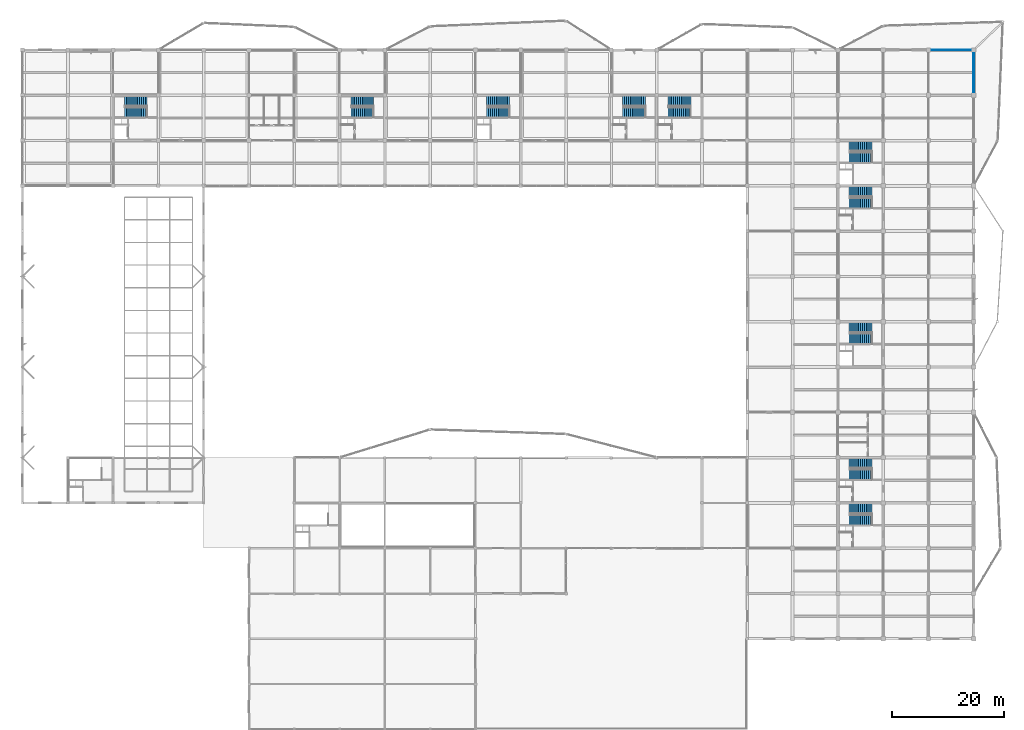
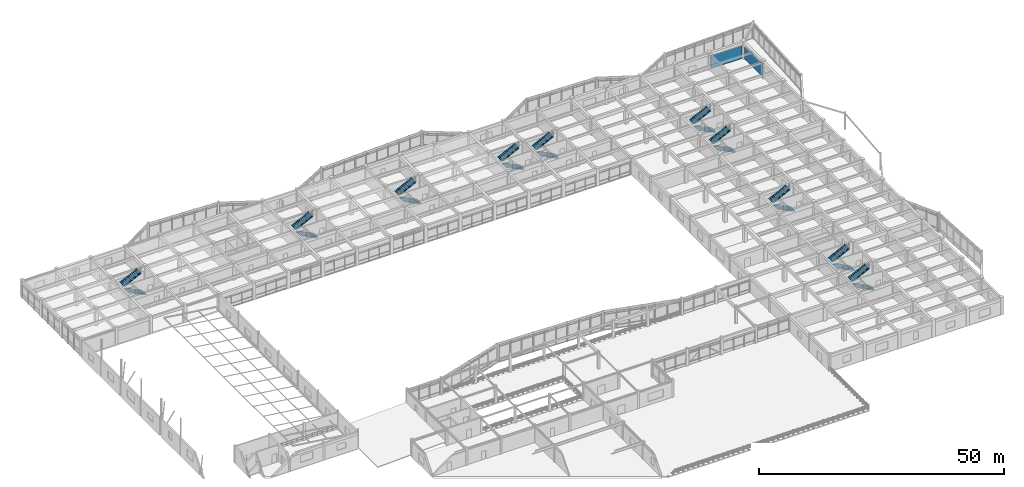
# One storey, part 75 of 89: 20 stair flights, 2 walls, 10 elements without a shape of their own.
"""IFC4 building model written with IfcOpenShell, lengths in metres."""

from ifc_helpers import new_model, si_unit, direction, frame, frame_2d, origin, place, context, subcontext, project, spatial, polyline, rectangle, outline, extrude, material, layer, layer_set, type_object, element, aggregate, save


model = new_model("IFC4")

# Units and contexts
model_context = context("Model", 3, precision=1e-05, world=origin(), true_north=direction((0.0, 1.0)))
body_context = subcontext(model_context, "Body", "Model", "MODEL_VIEW")
ifc_project = project(units=[si_unit("LENGTHUNIT", "METRE"), si_unit("AREAUNIT", "SQUARE_METRE"), si_unit("VOLUMEUNIT", "CUBIC_METRE"), si_unit("PLANEANGLEUNIT", "RADIAN"), si_unit("MASSUNIT", "GRAM", prefix="KILO")], contexts=[model_context])

# Site, building, storey
site_placement = place(None, origin())
site = spatial("IfcSite", under=ifc_project, at=site_placement, CompositionType="ELEMENT")
building_placement = place(site_placement, origin())
building = spatial("IfcBuilding", under=site, at=building_placement, Name="Vaudrelin Polytechnic", CompositionType="ELEMENT")
storey_placement = place(building_placement, frame((0.0, 0.0, 9.68994140625)))
storey = spatial("IfcBuildingStorey", under=building, at=storey_placement, Name="L02", CompositionType="ELEMENT", Elevation=9.68994140625)

# Walls
ifc_material_1 = material(Name="Acoustic steel-stud office & study room partition", Category="steel")
ifc_layer = layer(ifc_material_1, 0.135009765625)
ifc_layer_set = layer_set([ifc_layer], Name="Acoustic steel-stud office & study room partition")
wall_type = type_object("IfcWallType", Name="WAL-PW-OFF135", PredefinedType="PARTITIONING", material=ifc_layer_set)
wall_1_placement = place(storey_placement, frame((162.373046875, 121.5, 0.0), z_axis=(0.0, 0.0, 1.0), x_axis=(1.0, 0.0, 0.0)))
element("IfcWall", 1, at=wall_1_placement, inside=storey, type_object=wall_type, Name="Partition L02-023 N", PredefinedType="PARTITIONING", context=body_context, shape_type="SweptSolid", body=[
    extrude(rectangle(XDim=7.35400390625, YDim=0.135009765625, at=frame_2d((3.677001953125, 0.0))), origin(), (0.0, 0.0, 1.0), 3.2919921875),
])
wall_2_placement = place(storey_placement, frame((170.10009765625, 113.77294921875, 0.0), z_axis=(0.0, 0.0, 1.0), x_axis=(0.0, 1.0, 0.0)))
element("IfcWall", 2, at=wall_2_placement, inside=storey, type_object=wall_type, Name="Partition L02-023 E", PredefinedType="PARTITIONING", context=body_context, shape_type="SweptSolid", body=[
    extrude(rectangle(XDim=7.35400390625, YDim=0.135009765625, at=frame_2d((3.677001953125, 0.0))), origin(), (0.0, 0.0, 1.0), 3.192138671875),
])

# Stair, stair flights
ifc_material_2 = material(Name="Concrete 35 MPa", Category="concrete")
stair_type = type_object("IfcStairType", Name="STR-ST-CORE", PredefinedType="TWO_STRAIGHT_RUN_STAIR", material=ifc_material_2)
stair_1_placement = place(storey_placement, origin())
stair_1 = element("IfcStair", 3, at=stair_1_placement, inside=storey, type_object=stair_type, Name="Exit stair ST-01-L02", PredefinedType="TWO_STRAIGHT_RUN_STAIR")
stair_flight_type = type_object("IfcStairFlightType", Name="STF-STF-CORE", PredefinedType="STRAIGHT", material=ifc_material_2)
stair_flight_1_placement = place(storey_placement, frame((22.340087890625, 110.3701171875, 0.0), z_axis=(0.0, 0.0, 1.0), x_axis=(-1.0, 0.0, 0.0)))
stair_flight_1 = element("IfcStairFlight", 4, at=stair_flight_1_placement, type_object=stair_flight_type, Name="ST-01-L02 flight 1", NumberOfRisers=13, NumberOfTreads=12, PredefinedType="STRAIGHT", RiserHeight=0.17, TreadLength=0.34417, context=body_context, shape_type="SweptSolid", body=[
    extrude(outline(polyline([(0.0, 0.0), (0.0, 0.169921875), (0.34423828125, 0.169921875), (0.34423828125, 0.340087890625), (0.688232421875, 0.340087890625), (0.688232421875, 0.510009765625), (1.032470703125, 0.510009765625), (1.032470703125, 0.679931640625), (1.376708984375, 0.679931640625), (1.376708984375, 0.85009765625), (1.720947265625, 0.85009765625), (1.720947265625, 1.02001953125), (2.06494140625, 1.02001953125), (2.06494140625, 1.18994140625), (2.4091796875, 1.18994140625), (2.4091796875, 1.360107421875), (2.75341796875, 1.360107421875), (2.75341796875, 1.530029296875), (3.097412109375, 1.530029296875), (3.097412109375, 1.699951171875), (3.441650390625, 1.699951171875), (3.441650390625, 1.8701171875), (3.785888671875, 1.8701171875), (3.785888671875, 2.0400390625), (4.130126953125, 2.0400390625), (4.130126953125, 2.2099609375), (4.130126953125, 1.81689453125), (0.451416015625, 0.0), (0.0, 0.0)])), frame((0.0, 0.91015625, 0.0), z_axis=(0.0, -1.0, 0.0), x_axis=(1.0, 0.0, 0.0)), (0.0, 0.0, 1.0), 1.820068359375),
])
stair_flight_2_placement = place(storey_placement, frame((18.2099609375, 112.389892578125, 2.2099609375), z_axis=(0.0, 0.0, 1.0), x_axis=(1.0, 0.0, 0.0)))
stair_flight_2 = element("IfcStairFlight", 5, at=stair_flight_2_placement, type_object=stair_flight_type, Name="ST-01-L02 flight 2", NumberOfRisers=13, NumberOfTreads=12, PredefinedType="STRAIGHT", RiserHeight=0.17, TreadLength=0.34083, context=body_context, shape_type="SweptSolid", body=[
    extrude(outline(polyline([(0.0, 0.0), (0.0, 0.169921875), (0.3408203125, 0.169921875), (0.3408203125, 0.340087890625), (0.681640625, 0.340087890625), (0.681640625, 0.510009765625), (1.0224609375, 0.510009765625), (1.0224609375, 0.679931640625), (1.36328125, 0.679931640625), (1.36328125, 0.85009765625), (1.7041015625, 0.85009765625), (1.7041015625, 1.02001953125), (2.044921875, 1.02001953125), (2.044921875, 1.18994140625), (2.3857421875, 1.18994140625), (2.3857421875, 1.360107421875), (2.7265625, 1.360107421875), (2.7265625, 1.530029296875), (3.0673828125, 1.530029296875), (3.0673828125, 1.699951171875), (3.408203125, 1.699951171875), (3.408203125, 1.8701171875), (3.7490234375, 1.8701171875), (3.7490234375, 2.0400390625), (4.08984375, 2.0400390625), (4.08984375, 2.2099609375), (4.08984375, 1.816650390625), (0.447998046875, 0.0), (0.0, 0.0)])), frame((0.0, 0.91015625, 0.0), z_axis=(0.0, -1.0, 0.0), x_axis=(1.0, 0.0, 0.0)), (0.0, 0.0, 1.0), 1.820068359375),
])
aggregate(stair_1, [stair_flight_1, stair_flight_2])

stair_2_placement = place(storey_placement, origin())
stair_2 = element("IfcStair", 6, at=stair_2_placement, inside=storey, type_object=stair_type, Name="Exit stair ST-02-L02", PredefinedType="TWO_STRAIGHT_RUN_STAIR")
stair_flight_3_placement = place(storey_placement, frame((87.139892578125, 110.3701171875, 0.0), z_axis=(0.0, 0.0, 1.0), x_axis=(-1.0, 0.0, 0.0)))
stair_flight_3 = element("IfcStairFlight", 7, at=stair_flight_3_placement, type_object=stair_flight_type, Name="ST-02-L02 flight 1", NumberOfRisers=13, NumberOfTreads=12, PredefinedType="STRAIGHT", RiserHeight=0.17, TreadLength=0.34417, context=body_context, shape_type="SweptSolid", body=[
    extrude(outline(polyline([(0.0, 0.0), (0.0, 0.169921875), (0.34423828125, 0.169921875), (0.34423828125, 0.340087890625), (0.688232421875, 0.340087890625), (0.688232421875, 0.510009765625), (1.032470703125, 0.510009765625), (1.032470703125, 0.679931640625), (1.376708984375, 0.679931640625), (1.376708984375, 0.85009765625), (1.720947265625, 0.85009765625), (1.720947265625, 1.02001953125), (2.06494140625, 1.02001953125), (2.06494140625, 1.18994140625), (2.4091796875, 1.18994140625), (2.4091796875, 1.360107421875), (2.75341796875, 1.360107421875), (2.75341796875, 1.530029296875), (3.097412109375, 1.530029296875), (3.097412109375, 1.699951171875), (3.441650390625, 1.699951171875), (3.441650390625, 1.8701171875), (3.785888671875, 1.8701171875), (3.785888671875, 2.0400390625), (4.130126953125, 2.0400390625), (4.130126953125, 2.2099609375), (4.130126953125, 1.81689453125), (0.451416015625, 0.0), (0.0, 0.0)])), frame((0.0, 0.91015625, 0.0), z_axis=(0.0, -1.0, 0.0), x_axis=(1.0, 0.0, 0.0)), (0.0, 0.0, 1.0), 1.820068359375),
])
stair_flight_4_placement = place(storey_placement, frame((83.010009765625, 112.389892578125, 2.2099609375), z_axis=(0.0, 0.0, 1.0), x_axis=(1.0, 0.0, 0.0)))
stair_flight_4 = element("IfcStairFlight", 8, at=stair_flight_4_placement, type_object=stair_flight_type, Name="ST-02-L02 flight 2", NumberOfRisers=13, NumberOfTreads=12, PredefinedType="STRAIGHT", RiserHeight=0.17, TreadLength=0.34083, context=body_context, shape_type="SweptSolid", body=[
    extrude(outline(polyline([(0.0, 0.0), (0.0, 0.169921875), (0.3408203125, 0.169921875), (0.3408203125, 0.340087890625), (0.681640625, 0.340087890625), (0.681640625, 0.510009765625), (1.0224609375, 0.510009765625), (1.0224609375, 0.679931640625), (1.36328125, 0.679931640625), (1.36328125, 0.85009765625), (1.7041015625, 0.85009765625), (1.7041015625, 1.02001953125), (2.044921875, 1.02001953125), (2.044921875, 1.18994140625), (2.3857421875, 1.18994140625), (2.3857421875, 1.360107421875), (2.7265625, 1.360107421875), (2.7265625, 1.530029296875), (3.0673828125, 1.530029296875), (3.0673828125, 1.699951171875), (3.408203125, 1.699951171875), (3.408203125, 1.8701171875), (3.7490234375, 1.8701171875), (3.7490234375, 2.0400390625), (4.08984375, 2.0400390625), (4.08984375, 2.2099609375), (4.08984375, 1.816650390625), (0.447998046875, 0.0), (0.0, 0.0)])), frame((0.0, 0.91015625, 0.0), z_axis=(0.0, -1.0, 0.0), x_axis=(1.0, 0.0, 0.0)), (0.0, 0.0, 1.0), 1.820068359375),
])
aggregate(stair_2, [stair_flight_3, stair_flight_4])

stair_3_placement = place(storey_placement, origin())
stair_3 = element("IfcStair", 9, at=stair_3_placement, inside=storey, type_object=stair_type, Name="Exit stair ST-06-L02", PredefinedType="TWO_STRAIGHT_RUN_STAIR")
stair_flight_5_placement = place(storey_placement, frame((151.93994140625, 102.27001953125, 0.0), z_axis=(0.0, 0.0, 1.0), x_axis=(-1.0, 0.0, 0.0)))
stair_flight_5 = element("IfcStairFlight", 10, at=stair_flight_5_placement, type_object=stair_flight_type, Name="ST-06-L02 flight 1", NumberOfRisers=13, NumberOfTreads=12, PredefinedType="STRAIGHT", RiserHeight=0.17, TreadLength=0.34417, context=body_context, shape_type="SweptSolid", body=[
    extrude(outline(polyline([(0.0, 0.0), (0.0, 0.169921875), (0.34423828125, 0.169921875), (0.34423828125, 0.340087890625), (0.688232421875, 0.340087890625), (0.688232421875, 0.510009765625), (1.032470703125, 0.510009765625), (1.032470703125, 0.679931640625), (1.376708984375, 0.679931640625), (1.376708984375, 0.85009765625), (1.720947265625, 0.85009765625), (1.720947265625, 1.02001953125), (2.06494140625, 1.02001953125), (2.06494140625, 1.18994140625), (2.4091796875, 1.18994140625), (2.4091796875, 1.360107421875), (2.75341796875, 1.360107421875), (2.75341796875, 1.530029296875), (3.097412109375, 1.530029296875), (3.097412109375, 1.699951171875), (3.441650390625, 1.699951171875), (3.441650390625, 1.8701171875), (3.785888671875, 1.8701171875), (3.785888671875, 2.0400390625), (4.130126953125, 2.0400390625), (4.130126953125, 2.2099609375), (4.130126953125, 1.81689453125), (0.451416015625, 0.0), (0.0, 0.0)])), frame((0.0, 0.91015625, 0.0), z_axis=(0.0, -1.0, 0.0), x_axis=(1.0, 0.0, 0.0)), (0.0, 0.0, 1.0), 1.820068359375),
])
stair_flight_6_placement = place(storey_placement, frame((147.81005859375, 104.2900390625, 2.2099609375), z_axis=(0.0, 0.0, 1.0), x_axis=(1.0, 0.0, 0.0)))
stair_flight_6 = element("IfcStairFlight", 11, at=stair_flight_6_placement, type_object=stair_flight_type, Name="ST-06-L02 flight 2", NumberOfRisers=13, NumberOfTreads=12, PredefinedType="STRAIGHT", RiserHeight=0.17, TreadLength=0.34083, context=body_context, shape_type="SweptSolid", body=[
    extrude(outline(polyline([(0.0, 0.0), (0.0, 0.169921875), (0.3408203125, 0.169921875), (0.3408203125, 0.340087890625), (0.681640625, 0.340087890625), (0.681640625, 0.510009765625), (1.0224609375, 0.510009765625), (1.0224609375, 0.679931640625), (1.36328125, 0.679931640625), (1.36328125, 0.85009765625), (1.7041015625, 0.85009765625), (1.7041015625, 1.02001953125), (2.044921875, 1.02001953125), (2.044921875, 1.18994140625), (2.3857421875, 1.18994140625), (2.3857421875, 1.360107421875), (2.7265625, 1.360107421875), (2.7265625, 1.530029296875), (3.0673828125, 1.530029296875), (3.0673828125, 1.699951171875), (3.408203125, 1.699951171875), (3.408203125, 1.8701171875), (3.7490234375, 1.8701171875), (3.7490234375, 2.0400390625), (4.08984375, 2.0400390625), (4.08984375, 2.2099609375), (4.08984375, 1.816650390625), (0.447998046875, 0.0), (0.0, 0.0)])), frame((0.0, 0.91015625, 0.0), z_axis=(0.0, -1.0, 0.0), x_axis=(1.0, 0.0, 0.0)), (0.0, 0.0, 1.0), 1.820068359375),
])
aggregate(stair_3, [stair_flight_5, stair_flight_6])

stair_4_placement = place(storey_placement, origin())
stair_4 = element("IfcStair", 12, at=stair_4_placement, inside=storey, type_object=stair_type, Name="Exit stair ST-07-L02", PredefinedType="TWO_STRAIGHT_RUN_STAIR")
stair_flight_7_placement = place(storey_placement, frame((151.93994140625, 69.8701171875, 0.0), z_axis=(0.0, 0.0, 1.0), x_axis=(-1.0, 0.0, 0.0)))
stair_flight_7 = element("IfcStairFlight", 13, at=stair_flight_7_placement, type_object=stair_flight_type, Name="ST-07-L02 flight 1", NumberOfRisers=13, NumberOfTreads=12, PredefinedType="STRAIGHT", RiserHeight=0.17, TreadLength=0.34417, context=body_context, shape_type="SweptSolid", body=[
    extrude(outline(polyline([(0.0, 0.0), (0.0, 0.169921875), (0.34423828125, 0.169921875), (0.34423828125, 0.340087890625), (0.688232421875, 0.340087890625), (0.688232421875, 0.510009765625), (1.032470703125, 0.510009765625), (1.032470703125, 0.679931640625), (1.376708984375, 0.679931640625), (1.376708984375, 0.85009765625), (1.720947265625, 0.85009765625), (1.720947265625, 1.02001953125), (2.06494140625, 1.02001953125), (2.06494140625, 1.18994140625), (2.4091796875, 1.18994140625), (2.4091796875, 1.360107421875), (2.75341796875, 1.360107421875), (2.75341796875, 1.530029296875), (3.097412109375, 1.530029296875), (3.097412109375, 1.699951171875), (3.441650390625, 1.699951171875), (3.441650390625, 1.8701171875), (3.785888671875, 1.8701171875), (3.785888671875, 2.0400390625), (4.130126953125, 2.0400390625), (4.130126953125, 2.2099609375), (4.130126953125, 1.81689453125), (0.451416015625, 0.0), (0.0, 0.0)])), frame((0.0, 0.91015625, 0.0), z_axis=(0.0, -1.0, 0.0), x_axis=(1.0, 0.0, 0.0)), (0.0, 0.0, 1.0), 1.820068359375),
])
stair_flight_8_placement = place(storey_placement, frame((147.81005859375, 71.889892578125, 2.2099609375), z_axis=(0.0, 0.0, 1.0), x_axis=(1.0, 0.0, 0.0)))
stair_flight_8 = element("IfcStairFlight", 14, at=stair_flight_8_placement, type_object=stair_flight_type, Name="ST-07-L02 flight 2", NumberOfRisers=13, NumberOfTreads=12, PredefinedType="STRAIGHT", RiserHeight=0.17, TreadLength=0.34083, context=body_context, shape_type="SweptSolid", body=[
    extrude(outline(polyline([(0.0, 0.0), (0.0, 0.169921875), (0.3408203125, 0.169921875), (0.3408203125, 0.340087890625), (0.681640625, 0.340087890625), (0.681640625, 0.510009765625), (1.0224609375, 0.510009765625), (1.0224609375, 0.679931640625), (1.36328125, 0.679931640625), (1.36328125, 0.85009765625), (1.7041015625, 0.85009765625), (1.7041015625, 1.02001953125), (2.044921875, 1.02001953125), (2.044921875, 1.18994140625), (2.3857421875, 1.18994140625), (2.3857421875, 1.360107421875), (2.7265625, 1.360107421875), (2.7265625, 1.530029296875), (3.0673828125, 1.530029296875), (3.0673828125, 1.699951171875), (3.408203125, 1.699951171875), (3.408203125, 1.8701171875), (3.7490234375, 1.8701171875), (3.7490234375, 2.0400390625), (4.08984375, 2.0400390625), (4.08984375, 2.2099609375), (4.08984375, 1.816650390625), (0.447998046875, 0.0), (0.0, 0.0)])), frame((0.0, 0.91015625, 0.0), z_axis=(0.0, -1.0, 0.0), x_axis=(1.0, 0.0, 0.0)), (0.0, 0.0, 1.0), 1.820068359375),
])
aggregate(stair_4, [stair_flight_7, stair_flight_8])

stair_5_placement = place(storey_placement, origin())
stair_5 = element("IfcStair", 15, at=stair_5_placement, inside=storey, type_object=stair_type, Name="Exit stair ST-08-L02", PredefinedType="TWO_STRAIGHT_RUN_STAIR")
stair_flight_9_placement = place(storey_placement, frame((151.93994140625, 37.469970703125, 0.0), z_axis=(0.0, 0.0, 1.0), x_axis=(-1.0, 0.0, 0.0)))
stair_flight_9 = element("IfcStairFlight", 16, at=stair_flight_9_placement, type_object=stair_flight_type, Name="ST-08-L02 flight 1", NumberOfRisers=13, NumberOfTreads=12, PredefinedType="STRAIGHT", RiserHeight=0.17, TreadLength=0.34417, context=body_context, shape_type="SweptSolid", body=[
    extrude(outline(polyline([(0.0, 0.0), (0.0, 0.169921875), (0.34423828125, 0.169921875), (0.34423828125, 0.340087890625), (0.688232421875, 0.340087890625), (0.688232421875, 0.510009765625), (1.032470703125, 0.510009765625), (1.032470703125, 0.679931640625), (1.376708984375, 0.679931640625), (1.376708984375, 0.85009765625), (1.720947265625, 0.85009765625), (1.720947265625, 1.02001953125), (2.06494140625, 1.02001953125), (2.06494140625, 1.18994140625), (2.4091796875, 1.18994140625), (2.4091796875, 1.360107421875), (2.75341796875, 1.360107421875), (2.75341796875, 1.530029296875), (3.097412109375, 1.530029296875), (3.097412109375, 1.699951171875), (3.441650390625, 1.699951171875), (3.441650390625, 1.8701171875), (3.785888671875, 1.8701171875), (3.785888671875, 2.0400390625), (4.130126953125, 2.0400390625), (4.130126953125, 2.2099609375), (4.130126953125, 1.81689453125), (0.451416015625, 0.0), (0.0, 0.0)])), frame((0.0, 0.91015625, 0.0), z_axis=(0.0, -1.0, 0.0), x_axis=(1.0, 0.0, 0.0)), (0.0, 0.0, 1.0), 1.820068359375),
])
stair_flight_10_placement = place(storey_placement, frame((147.81005859375, 39.489990234375, 2.2099609375), z_axis=(0.0, 0.0, 1.0), x_axis=(1.0, 0.0, 0.0)))
stair_flight_10 = element("IfcStairFlight", 17, at=stair_flight_10_placement, type_object=stair_flight_type, Name="ST-08-L02 flight 2", NumberOfRisers=13, NumberOfTreads=12, PredefinedType="STRAIGHT", RiserHeight=0.17, TreadLength=0.34083, context=body_context, shape_type="SweptSolid", body=[
    extrude(outline(polyline([(0.0, 0.0), (0.0, 0.169921875), (0.3408203125, 0.169921875), (0.3408203125, 0.340087890625), (0.681640625, 0.340087890625), (0.681640625, 0.510009765625), (1.0224609375, 0.510009765625), (1.0224609375, 0.679931640625), (1.36328125, 0.679931640625), (1.36328125, 0.85009765625), (1.7041015625, 0.85009765625), (1.7041015625, 1.02001953125), (2.044921875, 1.02001953125), (2.044921875, 1.18994140625), (2.3857421875, 1.18994140625), (2.3857421875, 1.360107421875), (2.7265625, 1.360107421875), (2.7265625, 1.530029296875), (3.0673828125, 1.530029296875), (3.0673828125, 1.699951171875), (3.408203125, 1.699951171875), (3.408203125, 1.8701171875), (3.7490234375, 1.8701171875), (3.7490234375, 2.0400390625), (4.08984375, 2.0400390625), (4.08984375, 2.2099609375), (4.08984375, 1.816650390625), (0.447998046875, 0.0), (0.0, 0.0)])), frame((0.0, 0.91015625, 0.0), z_axis=(0.0, -1.0, 0.0), x_axis=(1.0, 0.0, 0.0)), (0.0, 0.0, 1.0), 1.820068359375),
])
aggregate(stair_5, [stair_flight_9, stair_flight_10])

stair_6_placement = place(storey_placement, origin())
stair_6 = element("IfcStair", 18, at=stair_6_placement, inside=storey, type_object=stair_type, Name="Exit stair ST-09-L02", PredefinedType="TWO_STRAIGHT_RUN_STAIR")
stair_flight_11_placement = place(storey_placement, frame((62.840087890625, 110.3701171875, 0.0), z_axis=(0.0, 0.0, 1.0), x_axis=(-1.0, 0.0, 0.0)))
stair_flight_11 = element("IfcStairFlight", 19, at=stair_flight_11_placement, type_object=stair_flight_type, Name="ST-09-L02 flight 1", NumberOfRisers=13, NumberOfTreads=12, PredefinedType="STRAIGHT", RiserHeight=0.17, TreadLength=0.34417, context=body_context, shape_type="SweptSolid", body=[
    extrude(outline(polyline([(0.0, 0.0), (0.0, 0.169921875), (0.34423828125, 0.169921875), (0.34423828125, 0.340087890625), (0.688232421875, 0.340087890625), (0.688232421875, 0.510009765625), (1.032470703125, 0.510009765625), (1.032470703125, 0.679931640625), (1.376708984375, 0.679931640625), (1.376708984375, 0.85009765625), (1.720947265625, 0.85009765625), (1.720947265625, 1.02001953125), (2.06494140625, 1.02001953125), (2.06494140625, 1.18994140625), (2.4091796875, 1.18994140625), (2.4091796875, 1.360107421875), (2.75341796875, 1.360107421875), (2.75341796875, 1.530029296875), (3.097412109375, 1.530029296875), (3.097412109375, 1.699951171875), (3.441650390625, 1.699951171875), (3.441650390625, 1.8701171875), (3.785888671875, 1.8701171875), (3.785888671875, 2.0400390625), (4.130126953125, 2.0400390625), (4.130126953125, 2.2099609375), (4.130126953125, 1.81689453125), (0.451416015625, 0.0), (0.0, 0.0)])), frame((0.0, 0.91015625, 0.0), z_axis=(0.0, -1.0, 0.0), x_axis=(1.0, 0.0, 0.0)), (0.0, 0.0, 1.0), 1.820068359375),
])
stair_flight_12_placement = place(storey_placement, frame((58.7099609375, 112.389892578125, 2.2099609375), z_axis=(0.0, 0.0, 1.0), x_axis=(1.0, 0.0, 0.0)))
stair_flight_12 = element("IfcStairFlight", 20, at=stair_flight_12_placement, type_object=stair_flight_type, Name="ST-09-L02 flight 2", NumberOfRisers=13, NumberOfTreads=12, PredefinedType="STRAIGHT", RiserHeight=0.17, TreadLength=0.34083, context=body_context, shape_type="SweptSolid", body=[
    extrude(outline(polyline([(0.0, 0.0), (0.0, 0.169921875), (0.3408203125, 0.169921875), (0.3408203125, 0.340087890625), (0.681640625, 0.340087890625), (0.681640625, 0.510009765625), (1.0224609375, 0.510009765625), (1.0224609375, 0.679931640625), (1.36328125, 0.679931640625), (1.36328125, 0.85009765625), (1.7041015625, 0.85009765625), (1.7041015625, 1.02001953125), (2.044921875, 1.02001953125), (2.044921875, 1.18994140625), (2.3857421875, 1.18994140625), (2.3857421875, 1.360107421875), (2.7265625, 1.360107421875), (2.7265625, 1.530029296875), (3.0673828125, 1.530029296875), (3.0673828125, 1.699951171875), (3.408203125, 1.699951171875), (3.408203125, 1.8701171875), (3.7490234375, 1.8701171875), (3.7490234375, 2.0400390625), (4.08984375, 2.0400390625), (4.08984375, 2.2099609375), (4.08984375, 1.816650390625), (0.447998046875, 0.0), (0.0, 0.0)])), frame((0.0, 0.91015625, 0.0), z_axis=(0.0, -1.0, 0.0), x_axis=(1.0, 0.0, 0.0)), (0.0, 0.0, 1.0), 1.820068359375),
])
aggregate(stair_6, [stair_flight_11, stair_flight_12])

stair_7_placement = place(storey_placement, origin())
stair_7 = element("IfcStair", 21, at=stair_7_placement, inside=storey, type_object=stair_type, Name="Exit stair ST-10-L02", PredefinedType="TWO_STRAIGHT_RUN_STAIR")
stair_flight_13_placement = place(storey_placement, frame((119.5400390625, 110.3701171875, 0.0), z_axis=(0.0, 0.0, 1.0), x_axis=(-1.0, 0.0, 0.0)))
stair_flight_13 = element("IfcStairFlight", 22, at=stair_flight_13_placement, type_object=stair_flight_type, Name="ST-10-L02 flight 1", NumberOfRisers=13, NumberOfTreads=12, PredefinedType="STRAIGHT", RiserHeight=0.17, TreadLength=0.34417, context=body_context, shape_type="SweptSolid", body=[
    extrude(outline(polyline([(0.0, 0.0), (0.0, 0.169921875), (0.34423828125, 0.169921875), (0.34423828125, 0.340087890625), (0.688232421875, 0.340087890625), (0.688232421875, 0.510009765625), (1.032470703125, 0.510009765625), (1.032470703125, 0.679931640625), (1.376708984375, 0.679931640625), (1.376708984375, 0.85009765625), (1.720947265625, 0.85009765625), (1.720947265625, 1.02001953125), (2.06494140625, 1.02001953125), (2.06494140625, 1.18994140625), (2.4091796875, 1.18994140625), (2.4091796875, 1.360107421875), (2.75341796875, 1.360107421875), (2.75341796875, 1.530029296875), (3.097412109375, 1.530029296875), (3.097412109375, 1.699951171875), (3.441650390625, 1.699951171875), (3.441650390625, 1.8701171875), (3.785888671875, 1.8701171875), (3.785888671875, 2.0400390625), (4.130126953125, 2.0400390625), (4.130126953125, 2.2099609375), (4.130126953125, 1.81689453125), (0.451416015625, 0.0), (0.0, 0.0)])), frame((0.0, 0.91015625, 0.0), z_axis=(0.0, -1.0, 0.0), x_axis=(1.0, 0.0, 0.0)), (0.0, 0.0, 1.0), 1.820068359375),
])
stair_flight_14_placement = place(storey_placement, frame((115.409912109375, 112.389892578125, 2.2099609375), z_axis=(0.0, 0.0, 1.0), x_axis=(1.0, 0.0, 0.0)))
stair_flight_14 = element("IfcStairFlight", 23, at=stair_flight_14_placement, type_object=stair_flight_type, Name="ST-10-L02 flight 2", NumberOfRisers=13, NumberOfTreads=12, PredefinedType="STRAIGHT", RiserHeight=0.17, TreadLength=0.34083, context=body_context, shape_type="SweptSolid", body=[
    extrude(outline(polyline([(0.0, 0.0), (0.0, 0.169921875), (0.3408203125, 0.169921875), (0.3408203125, 0.340087890625), (0.681640625, 0.340087890625), (0.681640625, 0.510009765625), (1.0224609375, 0.510009765625), (1.0224609375, 0.679931640625), (1.36328125, 0.679931640625), (1.36328125, 0.85009765625), (1.7041015625, 0.85009765625), (1.7041015625, 1.02001953125), (2.044921875, 1.02001953125), (2.044921875, 1.18994140625), (2.3857421875, 1.18994140625), (2.3857421875, 1.360107421875), (2.7265625, 1.360107421875), (2.7265625, 1.530029296875), (3.0673828125, 1.530029296875), (3.0673828125, 1.699951171875), (3.408203125, 1.699951171875), (3.408203125, 1.8701171875), (3.7490234375, 1.8701171875), (3.7490234375, 2.0400390625), (4.08984375, 2.0400390625), (4.08984375, 2.2099609375), (4.08984375, 1.816650390625), (0.447998046875, 0.0), (0.0, 0.0)])), frame((0.0, 0.91015625, 0.0), z_axis=(0.0, -1.0, 0.0), x_axis=(1.0, 0.0, 0.0)), (0.0, 0.0, 1.0), 1.820068359375),
])
aggregate(stair_7, [stair_flight_13, stair_flight_14])

stair_8_placement = place(storey_placement, origin())
stair_8 = element("IfcStair", 24, at=stair_8_placement, inside=storey, type_object=stair_type, Name="Exit stair ST-11-L02", PredefinedType="TWO_STRAIGHT_RUN_STAIR")
stair_flight_15_placement = place(storey_placement, frame((111.43994140625, 110.3701171875, 0.0), z_axis=(0.0, 0.0, 1.0), x_axis=(-1.0, 0.0, 0.0)))
stair_flight_15 = element("IfcStairFlight", 25, at=stair_flight_15_placement, type_object=stair_flight_type, Name="ST-11-L02 flight 1", NumberOfRisers=13, NumberOfTreads=12, PredefinedType="STRAIGHT", RiserHeight=0.17, TreadLength=0.34417, context=body_context, shape_type="SweptSolid", body=[
    extrude(outline(polyline([(0.0, 0.0), (0.0, 0.169921875), (0.34423828125, 0.169921875), (0.34423828125, 0.340087890625), (0.688232421875, 0.340087890625), (0.688232421875, 0.510009765625), (1.032470703125, 0.510009765625), (1.032470703125, 0.679931640625), (1.376708984375, 0.679931640625), (1.376708984375, 0.85009765625), (1.720947265625, 0.85009765625), (1.720947265625, 1.02001953125), (2.06494140625, 1.02001953125), (2.06494140625, 1.18994140625), (2.4091796875, 1.18994140625), (2.4091796875, 1.360107421875), (2.75341796875, 1.360107421875), (2.75341796875, 1.530029296875), (3.097412109375, 1.530029296875), (3.097412109375, 1.699951171875), (3.441650390625, 1.699951171875), (3.441650390625, 1.8701171875), (3.785888671875, 1.8701171875), (3.785888671875, 2.0400390625), (4.130126953125, 2.0400390625), (4.130126953125, 2.2099609375), (4.130126953125, 1.81689453125), (0.451416015625, 0.0), (0.0, 0.0)])), frame((0.0, 0.91015625, 0.0), z_axis=(0.0, -1.0, 0.0), x_axis=(1.0, 0.0, 0.0)), (0.0, 0.0, 1.0), 1.820068359375),
])
stair_flight_16_placement = place(storey_placement, frame((107.31005859375, 112.389892578125, 2.2099609375), z_axis=(0.0, 0.0, 1.0), x_axis=(1.0, 0.0, 0.0)))
stair_flight_16 = element("IfcStairFlight", 26, at=stair_flight_16_placement, type_object=stair_flight_type, Name="ST-11-L02 flight 2", NumberOfRisers=13, NumberOfTreads=12, PredefinedType="STRAIGHT", RiserHeight=0.17, TreadLength=0.34083, context=body_context, shape_type="SweptSolid", body=[
    extrude(outline(polyline([(0.0, 0.0), (0.0, 0.169921875), (0.3408203125, 0.169921875), (0.3408203125, 0.340087890625), (0.681640625, 0.340087890625), (0.681640625, 0.510009765625), (1.0224609375, 0.510009765625), (1.0224609375, 0.679931640625), (1.36328125, 0.679931640625), (1.36328125, 0.85009765625), (1.7041015625, 0.85009765625), (1.7041015625, 1.02001953125), (2.044921875, 1.02001953125), (2.044921875, 1.18994140625), (2.3857421875, 1.18994140625), (2.3857421875, 1.360107421875), (2.7265625, 1.360107421875), (2.7265625, 1.530029296875), (3.0673828125, 1.530029296875), (3.0673828125, 1.699951171875), (3.408203125, 1.699951171875), (3.408203125, 1.8701171875), (3.7490234375, 1.8701171875), (3.7490234375, 2.0400390625), (4.08984375, 2.0400390625), (4.08984375, 2.2099609375), (4.08984375, 1.816650390625), (0.447998046875, 0.0), (0.0, 0.0)])), frame((0.0, 0.91015625, 0.0), z_axis=(0.0, -1.0, 0.0), x_axis=(1.0, 0.0, 0.0)), (0.0, 0.0, 1.0), 1.820068359375),
])
aggregate(stair_8, [stair_flight_15, stair_flight_16])

stair_9_placement = place(storey_placement, origin())
stair_9 = element("IfcStair", 27, at=stair_9_placement, inside=storey, type_object=stair_type, Name="Exit stair ST-12-L02", PredefinedType="TWO_STRAIGHT_RUN_STAIR")
stair_flight_17_placement = place(storey_placement, frame((151.93994140625, 45.570068359375, 0.0), z_axis=(0.0, 0.0, 1.0), x_axis=(-1.0, 0.0, 0.0)))
stair_flight_17 = element("IfcStairFlight", 28, at=stair_flight_17_placement, type_object=stair_flight_type, Name="ST-12-L02 flight 1", NumberOfRisers=13, NumberOfTreads=12, PredefinedType="STRAIGHT", RiserHeight=0.17, TreadLength=0.34417, context=body_context, shape_type="SweptSolid", body=[
    extrude(outline(polyline([(0.0, 0.0), (0.0, 0.169921875), (0.34423828125, 0.169921875), (0.34423828125, 0.340087890625), (0.688232421875, 0.340087890625), (0.688232421875, 0.510009765625), (1.032470703125, 0.510009765625), (1.032470703125, 0.679931640625), (1.376708984375, 0.679931640625), (1.376708984375, 0.85009765625), (1.720947265625, 0.85009765625), (1.720947265625, 1.02001953125), (2.06494140625, 1.02001953125), (2.06494140625, 1.18994140625), (2.4091796875, 1.18994140625), (2.4091796875, 1.360107421875), (2.75341796875, 1.360107421875), (2.75341796875, 1.530029296875), (3.097412109375, 1.530029296875), (3.097412109375, 1.699951171875), (3.441650390625, 1.699951171875), (3.441650390625, 1.8701171875), (3.785888671875, 1.8701171875), (3.785888671875, 2.0400390625), (4.130126953125, 2.0400390625), (4.130126953125, 2.2099609375), (4.130126953125, 1.81689453125), (0.451416015625, 0.0), (0.0, 0.0)])), frame((0.0, 0.91015625, 0.0), z_axis=(0.0, -1.0, 0.0), x_axis=(1.0, 0.0, 0.0)), (0.0, 0.0, 1.0), 1.820068359375),
])
stair_flight_18_placement = place(storey_placement, frame((147.81005859375, 47.590087890625, 2.2099609375), z_axis=(0.0, 0.0, 1.0), x_axis=(1.0, 0.0, 0.0)))
stair_flight_18 = element("IfcStairFlight", 29, at=stair_flight_18_placement, type_object=stair_flight_type, Name="ST-12-L02 flight 2", NumberOfRisers=13, NumberOfTreads=12, PredefinedType="STRAIGHT", RiserHeight=0.17, TreadLength=0.34083, context=body_context, shape_type="SweptSolid", body=[
    extrude(outline(polyline([(0.0, 0.0), (0.0, 0.169921875), (0.3408203125, 0.169921875), (0.3408203125, 0.340087890625), (0.681640625, 0.340087890625), (0.681640625, 0.510009765625), (1.0224609375, 0.510009765625), (1.0224609375, 0.679931640625), (1.36328125, 0.679931640625), (1.36328125, 0.85009765625), (1.7041015625, 0.85009765625), (1.7041015625, 1.02001953125), (2.044921875, 1.02001953125), (2.044921875, 1.18994140625), (2.3857421875, 1.18994140625), (2.3857421875, 1.360107421875), (2.7265625, 1.360107421875), (2.7265625, 1.530029296875), (3.0673828125, 1.530029296875), (3.0673828125, 1.699951171875), (3.408203125, 1.699951171875), (3.408203125, 1.8701171875), (3.7490234375, 1.8701171875), (3.7490234375, 2.0400390625), (4.08984375, 2.0400390625), (4.08984375, 2.2099609375), (4.08984375, 1.816650390625), (0.447998046875, 0.0), (0.0, 0.0)])), frame((0.0, 0.91015625, 0.0), z_axis=(0.0, -1.0, 0.0), x_axis=(1.0, 0.0, 0.0)), (0.0, 0.0, 1.0), 1.820068359375),
])
aggregate(stair_9, [stair_flight_17, stair_flight_18])

stair_10_placement = place(storey_placement, origin())
stair_10 = element("IfcStair", 30, at=stair_10_placement, inside=storey, type_object=stair_type, Name="Exit stair ST-13-L02", PredefinedType="TWO_STRAIGHT_RUN_STAIR")
stair_flight_19_placement = place(storey_placement, frame((151.93994140625, 94.169921875, 0.0), z_axis=(0.0, 0.0, 1.0), x_axis=(-1.0, 0.0, 0.0)))
stair_flight_19 = element("IfcStairFlight", 31, at=stair_flight_19_placement, type_object=stair_flight_type, Name="ST-13-L02 flight 1", NumberOfRisers=13, NumberOfTreads=12, PredefinedType="STRAIGHT", RiserHeight=0.17, TreadLength=0.34417, context=body_context, shape_type="SweptSolid", body=[
    extrude(outline(polyline([(0.0, 0.0), (0.0, 0.169921875), (0.34423828125, 0.169921875), (0.34423828125, 0.340087890625), (0.688232421875, 0.340087890625), (0.688232421875, 0.510009765625), (1.032470703125, 0.510009765625), (1.032470703125, 0.679931640625), (1.376708984375, 0.679931640625), (1.376708984375, 0.85009765625), (1.720947265625, 0.85009765625), (1.720947265625, 1.02001953125), (2.06494140625, 1.02001953125), (2.06494140625, 1.18994140625), (2.4091796875, 1.18994140625), (2.4091796875, 1.360107421875), (2.75341796875, 1.360107421875), (2.75341796875, 1.530029296875), (3.097412109375, 1.530029296875), (3.097412109375, 1.699951171875), (3.441650390625, 1.699951171875), (3.441650390625, 1.8701171875), (3.785888671875, 1.8701171875), (3.785888671875, 2.0400390625), (4.130126953125, 2.0400390625), (4.130126953125, 2.2099609375), (4.130126953125, 1.81689453125), (0.451416015625, 0.0), (0.0, 0.0)])), frame((0.0, 0.91015625, 0.0), z_axis=(0.0, -1.0, 0.0), x_axis=(1.0, 0.0, 0.0)), (0.0, 0.0, 1.0), 1.820068359375),
])
stair_flight_20_placement = place(storey_placement, frame((147.81005859375, 96.18994140625, 2.2099609375), z_axis=(0.0, 0.0, 1.0), x_axis=(1.0, 0.0, 0.0)))
stair_flight_20 = element("IfcStairFlight", 32, at=stair_flight_20_placement, type_object=stair_flight_type, Name="ST-13-L02 flight 2", NumberOfRisers=13, NumberOfTreads=12, PredefinedType="STRAIGHT", RiserHeight=0.17, TreadLength=0.34083, context=body_context, shape_type="SweptSolid", body=[
    extrude(outline(polyline([(0.0, 0.0), (0.0, 0.169921875), (0.3408203125, 0.169921875), (0.3408203125, 0.340087890625), (0.681640625, 0.340087890625), (0.681640625, 0.510009765625), (1.0224609375, 0.510009765625), (1.0224609375, 0.679931640625), (1.36328125, 0.679931640625), (1.36328125, 0.85009765625), (1.7041015625, 0.85009765625), (1.7041015625, 1.02001953125), (2.044921875, 1.02001953125), (2.044921875, 1.18994140625), (2.3857421875, 1.18994140625), (2.3857421875, 1.360107421875), (2.7265625, 1.360107421875), (2.7265625, 1.530029296875), (3.0673828125, 1.530029296875), (3.0673828125, 1.699951171875), (3.408203125, 1.699951171875), (3.408203125, 1.8701171875), (3.7490234375, 1.8701171875), (3.7490234375, 2.0400390625), (4.08984375, 2.0400390625), (4.08984375, 2.2099609375), (4.08984375, 1.816650390625), (0.447998046875, 0.0), (0.0, 0.0)])), frame((0.0, 0.91015625, 0.0), z_axis=(0.0, -1.0, 0.0), x_axis=(1.0, 0.0, 0.0)), (0.0, 0.0, 1.0), 1.820068359375),
])
aggregate(stair_10, [stair_flight_19, stair_flight_20])

save(model, "model.ifc")
